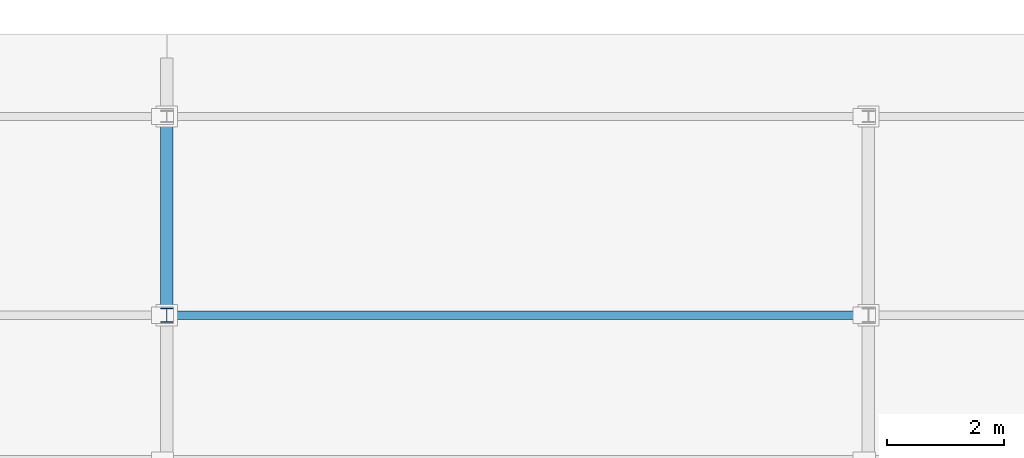
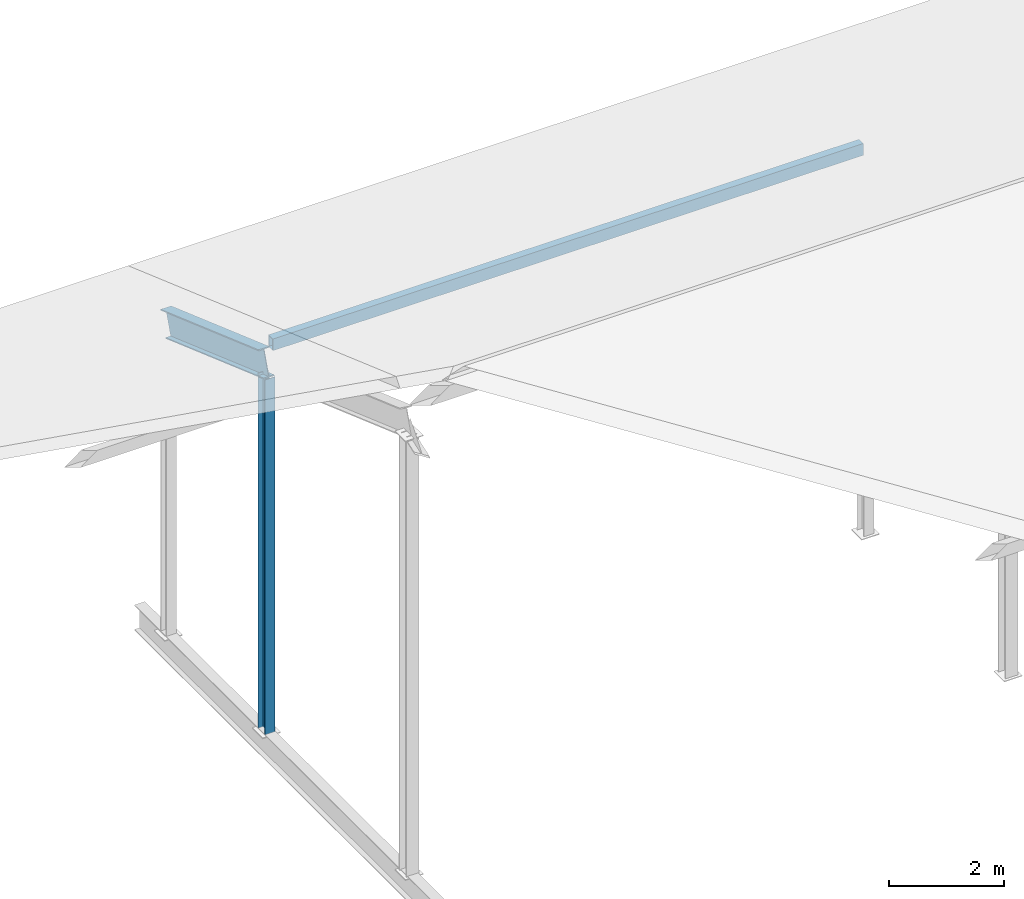
# One storey, part 7 of 42: 2 members, 1 beam.
"""IFC4 building model written with IfcOpenShell, lengths in metres."""

from ifc_helpers import new_model, si_unit, direction, frame, origin, origin_2d, place, context, subcontext, project, spatial, hollow_rectangle, i_section, extrude, material, material_profile, profile_set, type_object, element, save


model = new_model("IFC4")

# Units and contexts
model_context = context("Model", 3, precision=1e-05, world=origin(), true_north=direction((0.0, 1.0)))
body_context = subcontext(model_context, "Body", "Model", "MODEL_VIEW")
ifc_project = project(units=[si_unit("LENGTHUNIT", "METRE"), si_unit("AREAUNIT", "SQUARE_METRE"), si_unit("VOLUMEUNIT", "CUBIC_METRE"), si_unit("PLANEANGLEUNIT", "RADIAN"), si_unit("MASSUNIT", "GRAM", prefix="KILO")], contexts=[model_context])

# Site, building, storey
site_placement = place(None, origin())
site = spatial("IfcSite", under=ifc_project, at=site_placement, CompositionType="ELEMENT")
building_placement = place(site_placement, origin())
building = spatial("IfcBuilding", under=site, at=building_placement, Name="Kelmvaro Bay Concert Hall", CompositionType="ELEMENT")
storey_placement = place(building_placement, frame((0.0, 0.0, 26.699951171875)))
storey = spatial("IfcBuildingStorey", under=building, at=storey_placement, Name="RF", CompositionType="ELEMENT", Elevation=26.699951171875)

# Members
ifc_material_1 = material(Name="Steel ASTM A992 Grade 50", Category="steel")
ifc_material_profile_1 = material_profile(ifc_material_1, i_section(OverallWidth=0.201904296875, OverallDepth=0.2470703125, WebThickness=0.00732421875, FlangeThickness=0.010986328125, at=origin_2d()), Name="W10X33")
ifc_profile_set_1 = profile_set([ifc_material_profile_1], Name="Steel ASTM A992 Grade 50")
member_type_1 = type_object("IfcMemberType", Name="Crystal Crown Queen Post W10x33", PredefinedType="STRUT", material=ifc_profile_set_1)
member_1_placement = place(storey_placement, frame((24.0, 34.199951171875, -12.9150390625), z_axis=(0.0, 0.0, 1.0), x_axis=(1.0, 0.0, 0.0)))
element("IfcMember", 1, at=member_1_placement, inside=storey, type_object=member_type_1, Name="V3 Crystal Roof Post 014", PredefinedType="STRUT", context=body_context, shape_type="SweptSolid", body=[
    extrude(i_section(OverallWidth=0.201904296875, OverallDepth=0.2470703125, WebThickness=0.00732421875, FlangeThickness=0.010986328125, at=origin_2d()), origin(), (0.0, 0.0, 1.0), 7.518310546875),
])
ifc_material_2 = material(Name="Steel ASTM A500 Grade C", Category="steel")
ifc_material_profile_2 = material_profile(ifc_material_2, hollow_rectangle(XDim=0.14990234375, YDim=0.25, WallThickness=0.010009765625, at=origin_2d()), Name="HSS250X150X10")
ifc_profile_set_2 = profile_set([ifc_material_profile_2], Name="Steel ASTM A500 Grade C")
member_type_2 = type_object("IfcMemberType", Name="Crystal Roof Mid Purlin HSS250x150x10", PredefinedType="PURLIN", material=ifc_profile_set_2)
member_2_placement = place(storey_placement, frame((24.0849609375, 34.199951171875, -4.74658203125), z_axis=(1.0, 0.0, 0.0), x_axis=(0.0, 1.0, 0.0)))
element("IfcMember", 2, at=member_2_placement, inside=storey, type_object=member_type_2, Name="V3 Crystal Roof Purlin 027", PredefinedType="PURLIN", context=body_context, shape_type="SweptSolid", body=[
    extrude(hollow_rectangle(XDim=0.14990234375, YDim=0.25, WallThickness=0.010009765625, at=origin_2d()), origin(), (0.0, 0.0, 1.0), 11.830078125),
])

# Beam
ifc_material_3 = material(Name="Steel ASTM A992 Grade 50", Category="steel")
ifc_material_profile_3 = material_profile(ifc_material_3, i_section(OverallWidth=0.2119140625, OverallDepth=0.5439453125, WebThickness=0.01318359375, FlangeThickness=0.021240234375, at=origin_2d()), Name="W21X83")
ifc_profile_set_3 = profile_set([ifc_material_profile_3], Name="Steel ASTM A992 Grade 50")
beam_type = type_object("IfcBeamType", Name="Crystal Roof Sloped Rafter W21x83", PredefinedType="BEAM", material=ifc_profile_set_3)
beam_placement = place(storey_placement, frame((24.0, 34.199951171875, -5.1396484375), z_axis=(0.0, 0.942637430857, -0.333818324764), x_axis=(-1.0, 0.0, 0.0)))
element("IfcBeam", 3, at=beam_placement, inside=storey, type_object=beam_type, Name="V3 Crystal Roof Rafter 014", PredefinedType="BEAM", context=body_context, shape_type="SweptSolid", body=[
    extrude(i_section(OverallWidth=0.2119140625, OverallDepth=0.5439453125, WebThickness=0.01318359375, FlangeThickness=0.021240234375, at=origin_2d()), origin(), (0.0, 0.0, 1.0), 3.607177734375),
])

save(model, "model.ifc")
